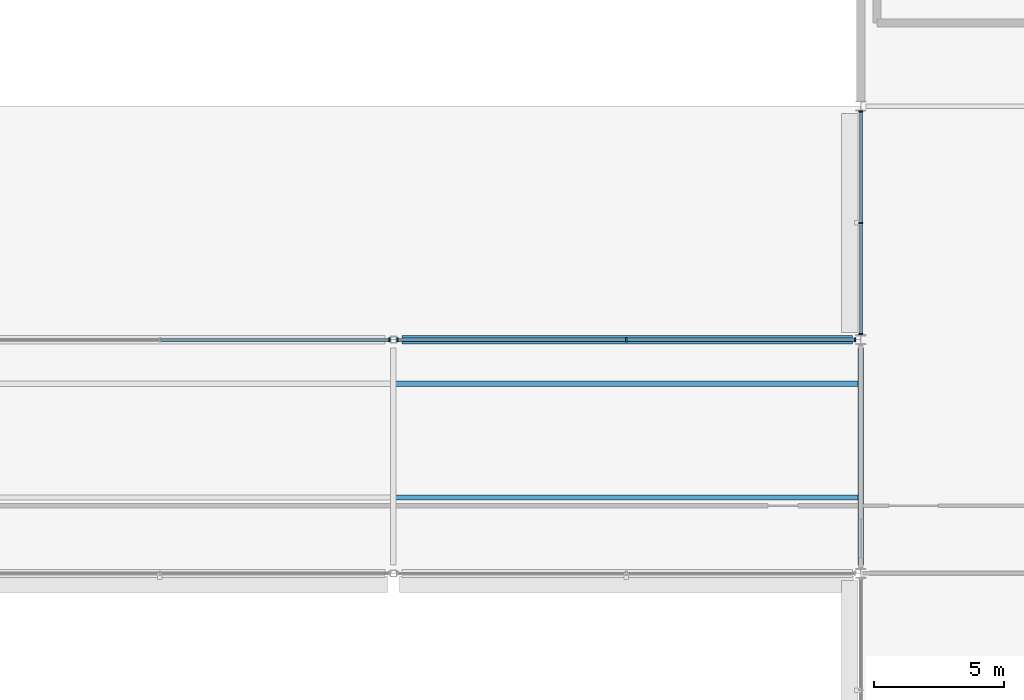
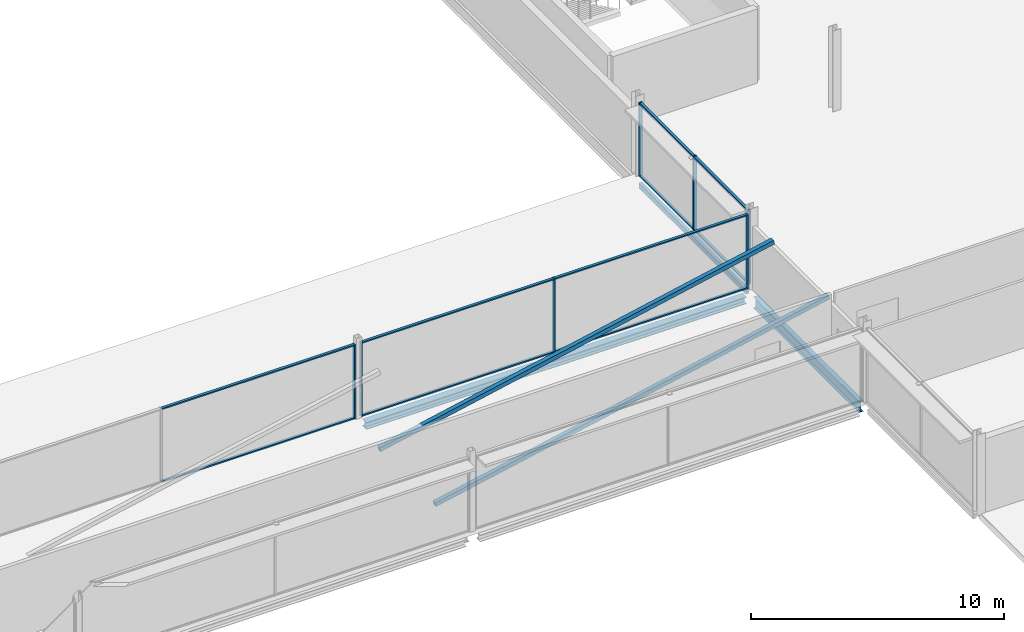
# One storey, part 44 of 105: 19 members, 3 beams, 3 elements without a shape of their own.
"""IFC4 building model written with IfcOpenShell, lengths in metres."""

import ifcopenshell
import ifcopenshell.guid

model = None  # the IFC model being written
_history = None  # IfcOwnerHistory: only IFC2X3 demands one
_inside = {}  # id of a spatial element -> (the spatial element, [elements in it])
_under = {}  # id of a project, library or spatial element -> (it, [spatial elements below it])
_declared = {}  # id of a project -> (the project, [libraries it declares])
_typed = {}  # id of a type object -> (the type object, [elements of that type])
_made_of = {}  # id of a material, layer set ... -> (it, [elements and type objects made of it])


def new_model(schema):
    """Start an empty IFC model of exactly this schema.

    Asked for "IFC4X3", IfcOpenShell would pick the latest addendum, in which some entities
    have other attributes; the version numbers below select the first issue.
    IFC2X3 requires an IfcOwnerHistory on every rooted entity: one is made here for all.
    """
    global model, _history
    if schema == "IFC4X3":
        model = ifcopenshell.file(schema_version=(4, 3, 0, 0))
    else:
        model = ifcopenshell.file(schema=schema)
    _inside.clear()
    _under.clear()
    _declared.clear()
    _typed.clear()
    _made_of.clear()
    _history = None
    if model.schema == "IFC2X3":
        org = make("IfcOrganization", Name="unknown")
        user = make(
            "IfcPersonAndOrganization",
            ThePerson=make("IfcPerson", FamilyName="unknown"),
            TheOrganization=org,
        )
        app = make(
            "IfcApplication",
            ApplicationDeveloper=org,
            Version="unknown",
            ApplicationFullName="unknown",
            ApplicationIdentifier="unknown",
        )
        _history = make(
            "IfcOwnerHistory",
            OwningUser=user,
            OwningApplication=app,
            ChangeAction="ADDED",
            CreationDate=0,
        )
    return model


def make(cls, **values):
    """One entity of the class cls with the attributes given. An attribute that is None is left unset."""
    return model.create_entity(
        cls, **{name: value for name, value in values.items() if value is not None}
    )


def rooted(cls, **values):
    """An entity with a GlobalId (a new one), such as an element, a storey or a relation."""
    return make(cls, GlobalId=ifcopenshell.guid.new(), OwnerHistory=_history, **values)


def si_unit(unit_type, name, prefix=None):
    """IfcSIUnit, for example si_unit("LENGTHUNIT", "METRE", prefix="MILLI")."""
    return make("IfcSIUnit", UnitType=unit_type, Prefix=prefix, Name=name)


def assignment(units):
    """IfcUnitAssignment: the units of a project."""
    return None if units is None else make("IfcUnitAssignment", Units=units)


def point(xyz):
    """IfcCartesianPoint."""
    return None if xyz is None else make("IfcCartesianPoint", Coordinates=xyz)


def direction(xyz):
    """IfcDirection."""
    return None if xyz is None else make("IfcDirection", DirectionRatios=xyz)


def frame(location, z_axis=None, x_axis=None):
    """IfcAxis2Placement3D, a coordinate frame: its origin and axes. An axis left out is left unset."""
    return make(
        "IfcAxis2Placement3D",
        Location=point(location),
        Axis=direction(z_axis),
        RefDirection=direction(x_axis),
    )


def frame_2d(location, x_axis=None):
    """IfcAxis2Placement2D, a coordinate frame in the plane: its origin and x axis."""
    return make(
        "IfcAxis2Placement2D", Location=point(location), RefDirection=direction(x_axis)
    )


def origin():
    """The frame at (0, 0, 0) with its axes left unset."""
    return frame((0.0, 0.0, 0.0))


def origin_2d():
    """The frame at (0, 0) in the plane with its x axis left unset."""
    return frame_2d((0.0, 0.0))


def place(relative_to, where):
    """IfcLocalPlacement: puts the frame where relative to a parent placement (None: the world)."""
    return make(
        "IfcLocalPlacement", PlacementRelTo=relative_to, RelativePlacement=where
    )


def context(
    kind, dimensions, precision=None, world=None, true_north=None, identifier=None
):
    """IfcGeometricRepresentationContext, for example the 3D "Model" context."""
    return make(
        "IfcGeometricRepresentationContext",
        ContextIdentifier=identifier,
        ContextType=kind,
        CoordinateSpaceDimension=dimensions,
        Precision=precision,
        WorldCoordinateSystem=world,
        TrueNorth=true_north,
    )


def subcontext(parent, identifier, kind, view, scale=None):
    """IfcGeometricRepresentationSubContext, for example "Body" below "Model"."""
    return make(
        "IfcGeometricRepresentationSubContext",
        ContextIdentifier=identifier,
        ContextType=kind,
        ParentContext=parent,
        TargetScale=scale,
        TargetView=view,
    )


def project(units=None, contexts=None):
    """IfcProject with its units and contexts."""
    return rooted(
        "IfcProject",
        Name="project",
        RepresentationContexts=contexts,
        UnitsInContext=assignment(units),
    )


def spatial(cls, under=None, at=None, **own):
    """A site, building, storey or space (cls), placed at a placement, below another one or the project."""
    s = rooted(cls, ObjectPlacement=at, **own)
    if under is not None:
        _under.setdefault(under.id(), (under, []))[1].append(s)
    return s


def profile(cls, at=None, kind="AREA", **sizes):
    """A parametric profile (cls). Its sizes go by their IFC names, for example OverallWidth=200.0."""
    return make(cls, ProfileType=kind, Position=at, **sizes)


def rectangle(**sizes):
    """IfcRectangleProfileDef."""
    return profile("IfcRectangleProfileDef", **sizes)


def hollow_rectangle(**sizes):
    """IfcRectangleHollowProfileDef."""
    return profile("IfcRectangleHollowProfileDef", **sizes)


def i_section(**sizes):
    """IfcIShapeProfileDef."""
    return profile("IfcIShapeProfileDef", **sizes)


def extrude(swept, where, along, depth):
    """IfcExtrudedAreaSolid: the profile swept, set in the frame where, extruded along a direction by depth."""
    return make(
        "IfcExtrudedAreaSolid",
        SweptArea=swept,
        Position=where,
        ExtrudedDirection=direction(along),
        Depth=depth,
    )


def shape(context_of_items, identifier, shape_type, items):
    """IfcShapeRepresentation: the items that make up one representation, for example the "Body"."""
    return make(
        "IfcShapeRepresentation",
        ContextOfItems=context_of_items,
        RepresentationIdentifier=identifier,
        RepresentationType=shape_type,
        Items=items,
    )


def material(Name=None, Category=None):
    """IfcMaterial."""
    return make("IfcMaterial", Name=Name, Category=Category)


def layer(
    of_material, thickness, ventilated=None, Name=None, Category=None, Priority=None
):
    """IfcMaterialLayer: one layer of a wall or slab, of a material (None: an air gap)."""
    return make(
        "IfcMaterialLayer",
        Material=of_material,
        LayerThickness=thickness,
        IsVentilated=ventilated,
        Name=Name,
        Category=Category,
        Priority=Priority,
    )


def layer_set(layers, Name=None):
    """IfcMaterialLayerSet."""
    return make("IfcMaterialLayerSet", MaterialLayers=layers, LayerSetName=Name)


def material_profile(
    of_material, cross_section, Name=None, Category=None, Priority=None
):
    """IfcMaterialProfile: a cross section and its material."""
    return make(
        "IfcMaterialProfile",
        Name=Name,
        Material=of_material,
        Profile=cross_section,
        Priority=Priority,
        Category=Category,
    )


def profile_set(profiles, Name=None, composite=None):
    """IfcMaterialProfileSet."""
    return make(
        "IfcMaterialProfileSet",
        Name=Name,
        MaterialProfiles=profiles,
        CompositeProfile=composite,
    )


def made_of(thing, what):
    """Note that an element or type object is made of a material, layer set ...; save() writes the relation."""
    if what is not None:
        _made_of.setdefault(what.id(), (what, []))[1].append(thing)
    return thing


def type_object(cls, material=None, **own):
    """A type object (cls), such as IfcWallType, which elements share."""
    return made_of(rooted(cls, **own), material)


def element(
    cls,
    number,
    at=None,
    inside=None,
    cuts=None,
    type_object=None,
    material=None,
    context=None,
    identifier="Body",
    shape_type=None,
    held_by="IfcProductDefinitionShape",
    body=None,
    shapes=None,
    **own,
):
    """One element of the class cls, such as IfcWall. Its Tag is "e" and its number.

    at: its placement. inside: the storey or other place that contains it. cuts: it is an
    opening in that element (IfcRelVoidsElement). A single representation is given by context,
    identifier, shape_type and body (its items); several are given by shapes. held_by: the class
    of the entity that holds the representations. save() writes the other relations.
    """
    e = rooted(cls, Tag="e%d" % number, ObjectPlacement=at, **own)
    if body is not None:
        shapes = [shape(context, identifier, shape_type, body)]
    if shapes is not None:
        e.Representation = make(held_by, Representations=shapes)
    if inside is not None:
        _inside.setdefault(inside.id(), (inside, []))[1].append(e)
    if cuts is not None:
        rooted(
            "IfcRelVoidsElement", RelatingBuildingElement=cuts, RelatedOpeningElement=e
        )
    if type_object is not None:
        _typed.setdefault(type_object.id(), (type_object, []))[1].append(e)
    return made_of(e, material)


def aggregate(whole, parts):
    """IfcRelAggregates: a whole, such as a stair, and the parts it consists of."""
    return rooted("IfcRelAggregates", RelatingObject=whole, RelatedObjects=parts)


def save(model, path):
    """Write the relations noted so far, then the file.

    IfcRelAggregates (storeys below a building ...), IfcRelContainedInSpatialStructure (elements
    in a storey), IfcRelDefinesByType, IfcRelAssociatesMaterial and IfcRelDeclares: one each for
    every whole, place, type object, material and project.
    """
    for whole, parts in _under.values():
        aggregate(whole, parts)
    for where, things in _inside.values():
        rooted(
            "IfcRelContainedInSpatialStructure",
            RelatedElements=things,
            RelatingStructure=where,
        )
    for kind, things in _typed.values():
        rooted("IfcRelDefinesByType", RelatedObjects=things, RelatingType=kind)
    for what, things in _made_of.values():
        rooted("IfcRelAssociatesMaterial", RelatedObjects=things, RelatingMaterial=what)
    for by, libraries in _declared.values():
        rooted("IfcRelDeclares", RelatingContext=by, RelatedDefinitions=libraries)
    model.write(path)


model = new_model("IFC4")

# Units and contexts
model_context = context("Model", 3, precision=1e-05, world=origin(), true_north=direction((0.0, 1.0)))
body_context = subcontext(model_context, "Body", "Model", "MODEL_VIEW")
ifc_project = project(units=[si_unit("LENGTHUNIT", "METRE"), si_unit("AREAUNIT", "SQUARE_METRE"), si_unit("VOLUMEUNIT", "CUBIC_METRE"), si_unit("PLANEANGLEUNIT", "RADIAN"), si_unit("MASSUNIT", "GRAM", prefix="KILO")], contexts=[model_context])

# Site, building, storey
site_placement = place(None, origin())
site = spatial("IfcSite", under=ifc_project, at=site_placement, CompositionType="ELEMENT")
building_placement = place(site_placement, origin())
building = spatial("IfcBuilding", under=site, at=building_placement, Name="Kisiwana Market Hall", CompositionType="ELEMENT")
storey_placement = place(building_placement, frame((0.0, 0.0, 21.60009765625)))
storey = spatial("IfcBuildingStorey", under=building, at=storey_placement, Name="L04", CompositionType="ELEMENT", Elevation=21.60009765625)

# Beams
ifc_material_1 = material(Name="Steel S355", Category="steel")
ifc_material_profile_1 = material_profile(ifc_material_1, i_section(OverallWidth=0.209228515625, OverallDepth=0.533203125, WebThickness=0.010009765625, FlangeThickness=0.015625, at=origin_2d()), Name="UB 533x210x92")
ifc_profile_set_1 = profile_set([ifc_material_profile_1], Name="Steel S355")
beam_type_1 = type_object("IfcBeamType", Name="BM-GIRD-UB533", PredefinedType="BEAM", material=ifc_profile_set_1)
beam_1_placement = place(storey_placement, frame((153.0, 18.321044921875, -0.53173828125), z_axis=(0.0, 1.0, 0.0), x_axis=(-1.0, 0.0, 0.0)))
element("IfcBeam", 1, at=beam_1_placement, inside=storey, type_object=beam_type_1, Name="Primary girder B-1369", PredefinedType="BEAM", context=body_context, shape_type="SweptSolid", body=[
    extrude(i_section(OverallWidth=0.209228515625, OverallDepth=0.533203125, WebThickness=0.010009765625, FlangeThickness=0.015625, at=origin_2d()), origin(), (0.0, 0.0, 1.0), 8.35791015625),
])
ifc_material_2 = material(Name="Steel S355", Category="steel")
ifc_material_profile_2 = material_profile(ifc_material_2, i_section(OverallWidth=0.314453125, OverallDepth=0.33984375, WebThickness=0.01904296875, FlangeThickness=0.031494140625, at=origin_2d()), Name="UC 305x305x198")
ifc_profile_set_2 = profile_set([ifc_material_profile_2], Name="Steel S355")
beam_type_2 = type_object("IfcBeamType", Name="BM-SKYBR-CHORD", PredefinedType="BEAM", material=ifc_profile_set_2)
beam_2_placement = place(storey_placement, frame((135.321044921875, 27.0, -0.462158203125), z_axis=(1.0, 0.0, 0.0), x_axis=(0.0, 1.0, 0.0)))
element("IfcBeam", 2, at=beam_2_placement, inside=storey, type_object=beam_type_2, Name="Floor beam B-1442", PredefinedType="BEAM", context=body_context, shape_type="SweptSolid", body=[
    extrude(i_section(OverallWidth=0.314453125, OverallDepth=0.33984375, WebThickness=0.01904296875, FlangeThickness=0.031494140625, at=origin_2d()), origin(), (0.0, 0.0, 1.0), 17.35791015625),
])
ifc_material_3 = material(Name="Steel S355", Category="steel")
ifc_material_profile_3 = material_profile(ifc_material_3, hollow_rectangle(XDim=0.14990234375, YDim=0.25, WallThickness=0.010009765625, at=origin_2d()), Name="RHS 250x150x10.0")
ifc_profile_set_3 = profile_set([ifc_material_profile_3], Name="Steel S355")
beam_type_3 = type_object("IfcBeamType", Name="BM-SPAN-RHS250", PredefinedType="SPANDREL", material=ifc_profile_set_3)
beam_3_placement = place(storey_placement, frame((153.0, 27.321044921875, -0.4169921875), z_axis=(0.0, 1.0, 0.0), x_axis=(-1.0, 0.0, 0.0)))
element("IfcBeam", 3, at=beam_3_placement, inside=storey, type_object=beam_type_3, Name="Floor beam B-1504", PredefinedType="SPANDREL", context=body_context, shape_type="SweptSolid", body=[
    extrude(hollow_rectangle(XDim=0.14990234375, YDim=0.25, WallThickness=0.010009765625, at=origin_2d()), origin(), (0.0, 0.0, 1.0), 8.465576171875),
])

# Curtain wall, member
ifc_material_4 = material(Name="Double-glazed solar-control low-E IGU", Category="glass")
ifc_layer = layer(ifc_material_4, 0.159912109375)
ifc_layer_set = layer_set([ifc_layer], Name="CW-ZNA-EW-8200")
curtain_wall_type = type_object("IfcCurtainWallType", Name="CW-ZNA-EW-8200", PredefinedType="USERDEFINED", material=ifc_layer_set)
curtain_wall_1_placement = place(storey_placement, origin())
curtain_wall_1 = element("IfcCurtainWall", 4, at=curtain_wall_1_placement, inside=storey, type_object=curtain_wall_type, Name="Unitised curtain wall CW-102 (L04)", ObjectType="UNITISED CURTAIN WALL", PredefinedType="USERDEFINED")
ifc_material_5 = material(Name="Aluminium alloy 6063-T6", Category="aluminium")
ifc_material_profile_4 = material_profile(ifc_material_5, rectangle(XDim=0.06005859375, YDim=0.159912109375, at=origin_2d()), Name="ALU MULLION 60x160")
ifc_profile_set_4 = profile_set([ifc_material_profile_4], Name="Aluminium alloy 6063-T6")
member_type_1 = type_object("IfcMemberType", Name="CW-MULL-60x160", PredefinedType="MULLION", material=ifc_profile_set_4)
member_1_placement = place(storey_placement, frame((134.844970703125, 27.0, 0.0), z_axis=(0.0, 0.0, 1.0), x_axis=(1.0, 0.0, 0.0)))
member_1 = element("IfcMember", 5, at=member_1_placement, type_object=member_type_1, Name="CW-102 mullion 3", PredefinedType="MULLION", context=body_context, shape_type="SweptSolid", body=[
    extrude(rectangle(XDim=0.06005859375, YDim=0.159912109375, at=origin_2d()), origin(), (0.0, 0.0, 1.0), 3.5849609375),
])

# Curtain wall, members
curtain_wall_2_placement = place(storey_placement, origin())
curtain_wall_2 = element("IfcCurtainWall", 6, at=curtain_wall_2_placement, inside=storey, type_object=curtain_wall_type, Name="Unitised curtain wall CW-103 (L04)", ObjectType="UNITISED CURTAIN WALL", PredefinedType="USERDEFINED")
member_2_placement = place(storey_placement, frame((135.155029296875, 27.0, 0.0), z_axis=(0.0, 0.0, 1.0), x_axis=(1.0, 0.0, 0.0)))
member_2 = element("IfcMember", 7, at=member_2_placement, type_object=member_type_1, Name="CW-103 mullion 1", PredefinedType="MULLION", context=body_context, shape_type="SweptSolid", body=[
    extrude(rectangle(XDim=0.06005859375, YDim=0.159912109375, at=origin_2d()), origin(), (0.0, 0.0, 1.0), 3.5849609375),
])
member_3_placement = place(storey_placement, frame((143.96923828125, 27.0, 0.0), z_axis=(0.0, 0.0, 1.0), x_axis=(1.0, 0.0, 0.0)))
member_3 = element("IfcMember", 8, at=member_3_placement, type_object=member_type_1, Name="CW-103 mullion 2", PredefinedType="MULLION", context=body_context, shape_type="SweptSolid", body=[
    extrude(rectangle(XDim=0.06005859375, YDim=0.159912109375, at=origin_2d()), origin(), (0.0, 0.0, 1.0), 3.5849609375),
])
member_4_placement = place(storey_placement, frame((152.78369140625, 27.0, 0.0), z_axis=(0.0, 0.0, 1.0), x_axis=(1.0, 0.0, 0.0)))
member_4 = element("IfcMember", 9, at=member_4_placement, type_object=member_type_1, Name="CW-103 mullion 3", PredefinedType="MULLION", context=body_context, shape_type="SweptSolid", body=[
    extrude(rectangle(XDim=0.06005859375, YDim=0.159912109375, at=origin_2d()), origin(), (0.0, 0.0, 1.0), 3.5849609375),
])

curtain_wall_3_placement = place(storey_placement, origin())
curtain_wall_3 = element("IfcCurtainWall", 10, at=curtain_wall_3_placement, inside=storey, type_object=curtain_wall_type, Name="Unitised curtain wall CW-125 (L04)", ObjectType="UNITISED CURTAIN WALL", PredefinedType="USERDEFINED")
member_5_placement = place(storey_placement, frame((153.0, 27.214111328125, 0.0), z_axis=(0.0, 0.0, 1.0), x_axis=(0.0, 1.0, 0.0)))
member_5 = element("IfcMember", 11, at=member_5_placement, type_object=member_type_1, Name="CW-125 mullion 1", PredefinedType="MULLION", context=body_context, shape_type="SweptSolid", body=[
    extrude(rectangle(XDim=0.06005859375, YDim=0.159912109375, at=origin_2d()), origin(), (0.0, 0.0, 1.0), 3.5849609375),
])
member_6_placement = place(storey_placement, frame((153.0, 31.5, 0.0), z_axis=(0.0, 0.0, 1.0), x_axis=(0.0, 1.0, 0.0)))
member_6 = element("IfcMember", 12, at=member_6_placement, type_object=member_type_1, Name="CW-125 mullion 2", PredefinedType="MULLION", context=body_context, shape_type="SweptSolid", body=[
    extrude(rectangle(XDim=0.06005859375, YDim=0.159912109375, at=origin_2d()), origin(), (0.0, 0.0, 1.0), 3.5849609375),
])
member_7_placement = place(storey_placement, frame((153.0, 35.785888671875, 0.0), z_axis=(0.0, 0.0, 1.0), x_axis=(0.0, 1.0, 0.0)))
member_7 = element("IfcMember", 13, at=member_7_placement, type_object=member_type_1, Name="CW-125 mullion 3", PredefinedType="MULLION", context=body_context, shape_type="SweptSolid", body=[
    extrude(rectangle(XDim=0.06005859375, YDim=0.159912109375, at=origin_2d()), origin(), (0.0, 0.0, 1.0), 3.5849609375),
])

# Member
ifc_material_6 = material(Name="Aluminium alloy 6063-T6", Category="aluminium")
ifc_material_profile_5 = material_profile(ifc_material_6, rectangle(XDim=0.1201171875, YDim=0.06005859375, at=origin_2d()), Name="ALU TRANSOM 60x120")
ifc_profile_set_5 = profile_set([ifc_material_profile_5], Name="Aluminium alloy 6063-T6")
member_type_2 = type_object("IfcMemberType", Name="CW-TRAN-60x120", PredefinedType="USERDEFINED", material=ifc_profile_set_5)
member_8_placement = place(storey_placement, frame((126.030029296875, 27.0, 0.02978515625), z_axis=(1.0, 0.0, 0.0), x_axis=(0.0, 1.0, 0.0)))
member_8 = element("IfcMember", 14, at=member_8_placement, type_object=member_type_2, Name="CW-102 transom 2.1", ObjectType="TRANSOM", PredefinedType="USERDEFINED", context=body_context, shape_type="SweptSolid", body=[
    extrude(rectangle(XDim=0.1201171875, YDim=0.06005859375, at=origin_2d()), origin(), (0.0, 0.0, 1.0), 8.784912109375),
])

member_9_placement = place(storey_placement, frame((126.030029296875, 27.0, 3.554931640625), z_axis=(1.0, 0.0, 0.0), x_axis=(0.0, 1.0, 0.0)))
member_9 = element("IfcMember", 15, at=member_9_placement, type_object=member_type_2, Name="CW-102 transom 2.2", ObjectType="TRANSOM", PredefinedType="USERDEFINED", context=body_context, shape_type="SweptSolid", body=[
    extrude(rectangle(XDim=0.1201171875, YDim=0.06005859375, at=origin_2d()), origin(), (0.0, 0.0, 1.0), 8.784912109375),
])

aggregate(curtain_wall_1, [member_1, member_8, member_9])

member_10_placement = place(storey_placement, frame((135.18505859375, 27.0, 0.02978515625), z_axis=(1.0, 0.0, 0.0), x_axis=(0.0, 1.0, 0.0)))
member_10 = element("IfcMember", 16, at=member_10_placement, type_object=member_type_2, Name="CW-103 transom 1.1", ObjectType="TRANSOM", PredefinedType="USERDEFINED", context=body_context, shape_type="SweptSolid", body=[
    extrude(rectangle(XDim=0.1201171875, YDim=0.06005859375, at=origin_2d()), origin(), (0.0, 0.0, 1.0), 8.75439453125),
])

member_11_placement = place(storey_placement, frame((135.18505859375, 27.0, 3.554931640625), z_axis=(1.0, 0.0, 0.0), x_axis=(0.0, 1.0, 0.0)))
member_11 = element("IfcMember", 17, at=member_11_placement, type_object=member_type_2, Name="CW-103 transom 1.2", ObjectType="TRANSOM", PredefinedType="USERDEFINED", context=body_context, shape_type="SweptSolid", body=[
    extrude(rectangle(XDim=0.1201171875, YDim=0.06005859375, at=origin_2d()), origin(), (0.0, 0.0, 1.0), 8.75439453125),
])

member_12_placement = place(storey_placement, frame((143.999267578125, 27.0, 0.02978515625), z_axis=(1.0, 0.0, 0.0), x_axis=(0.0, 1.0, 0.0)))
member_12 = element("IfcMember", 18, at=member_12_placement, type_object=member_type_2, Name="CW-103 transom 2.1", ObjectType="TRANSOM", PredefinedType="USERDEFINED", context=body_context, shape_type="SweptSolid", body=[
    extrude(rectangle(XDim=0.1201171875, YDim=0.06005859375, at=origin_2d()), origin(), (0.0, 0.0, 1.0), 8.75439453125),
])

member_13_placement = place(storey_placement, frame((143.999267578125, 27.0, 3.554931640625), z_axis=(1.0, 0.0, 0.0), x_axis=(0.0, 1.0, 0.0)))
member_13 = element("IfcMember", 19, at=member_13_placement, type_object=member_type_2, Name="CW-103 transom 2.2", ObjectType="TRANSOM", PredefinedType="USERDEFINED", context=body_context, shape_type="SweptSolid", body=[
    extrude(rectangle(XDim=0.1201171875, YDim=0.06005859375, at=origin_2d()), origin(), (0.0, 0.0, 1.0), 8.75439453125),
])

aggregate(curtain_wall_2, [member_2, member_3, member_4, member_10, member_11, member_12, member_13])

member_14_placement = place(storey_placement, frame((153.0, 27.244140625, 0.02978515625), z_axis=(0.0, 1.0, 0.0), x_axis=(-1.0, 0.0, 0.0)))
member_14 = element("IfcMember", 20, at=member_14_placement, type_object=member_type_2, Name="CW-125 transom 1.1", ObjectType="TRANSOM", PredefinedType="USERDEFINED", context=body_context, shape_type="SweptSolid", body=[
    extrude(rectangle(XDim=0.1201171875, YDim=0.06005859375, at=origin_2d()), origin(), (0.0, 0.0, 1.0), 4.225830078125),
])

member_15_placement = place(storey_placement, frame((153.0, 27.244140625, 3.554931640625), z_axis=(0.0, 1.0, 0.0), x_axis=(-1.0, 0.0, 0.0)))
member_15 = element("IfcMember", 21, at=member_15_placement, type_object=member_type_2, Name="CW-125 transom 1.2", ObjectType="TRANSOM", PredefinedType="USERDEFINED", context=body_context, shape_type="SweptSolid", body=[
    extrude(rectangle(XDim=0.1201171875, YDim=0.06005859375, at=origin_2d()), origin(), (0.0, 0.0, 1.0), 4.225830078125),
])

member_16_placement = place(storey_placement, frame((153.0, 31.530029296875, 0.02978515625), z_axis=(0.0, 1.0, 0.0), x_axis=(-1.0, 0.0, 0.0)))
member_16 = element("IfcMember", 22, at=member_16_placement, type_object=member_type_2, Name="CW-125 transom 2.1", ObjectType="TRANSOM", PredefinedType="USERDEFINED", context=body_context, shape_type="SweptSolid", body=[
    extrude(rectangle(XDim=0.1201171875, YDim=0.06005859375, at=origin_2d()), origin(), (0.0, 0.0, 1.0), 4.225830078125),
])

member_17_placement = place(storey_placement, frame((153.0, 31.530029296875, 3.554931640625), z_axis=(0.0, 1.0, 0.0), x_axis=(-1.0, 0.0, 0.0)))
member_17 = element("IfcMember", 23, at=member_17_placement, type_object=member_type_2, Name="CW-125 transom 2.2", ObjectType="TRANSOM", PredefinedType="USERDEFINED", context=body_context, shape_type="SweptSolid", body=[
    extrude(rectangle(XDim=0.1201171875, YDim=0.06005859375, at=origin_2d()), origin(), (0.0, 0.0, 1.0), 4.225830078125),
])

aggregate(curtain_wall_3, [member_5, member_6, member_7, member_14, member_15, member_16, member_17])

# Members
ifc_material_7 = material(Name="Steel S355", Category="steel")
ifc_material_profile_6 = material_profile(ifc_material_7, hollow_rectangle(XDim=0.199951171875, YDim=0.199951171875, WallThickness=0.010009765625, at=origin_2d()), Name="SHS 200x200x10.0")
ifc_profile_set_6 = profile_set([ifc_material_profile_6], Name="Steel S355")
member_type_3 = type_object("IfcMemberType", Name="MB-SKY-DIAG200", PredefinedType="BRACE", material=ifc_profile_set_6)
for number, where, z_axis, x_axis, name in (
    (24, (135.0, 20.919921875, -0.5), (0.979144505841, 0.0, 0.203165047883), (0.0, 1.0, 0.0), "Skybridge truss diagonal L04 grids 16 to 18 M-0492"),
    (25, (135.0, 25.300048828125, -0.5), (0.979144505841, 0.0, 0.203165047883), (0.0, 1.0, 0.0), "Skybridge truss diagonal L04 grids 16 to 18 M-0493"),
):
    element("IfcMember", number, at=place(storey_placement, frame(where, z_axis=z_axis, x_axis=x_axis)), inside=storey, type_object=member_type_3, Name=name, PredefinedType="BRACE", context=body_context, shape_type="SweptSolid", body=[
        extrude(hollow_rectangle(XDim=0.199951171875, YDim=0.199951171875, WallThickness=0.010009765625, at=origin_2d()), origin(), (0.0, 0.0, 1.0), 18.38330078125),
    ])

save(model, "model.ifc")
